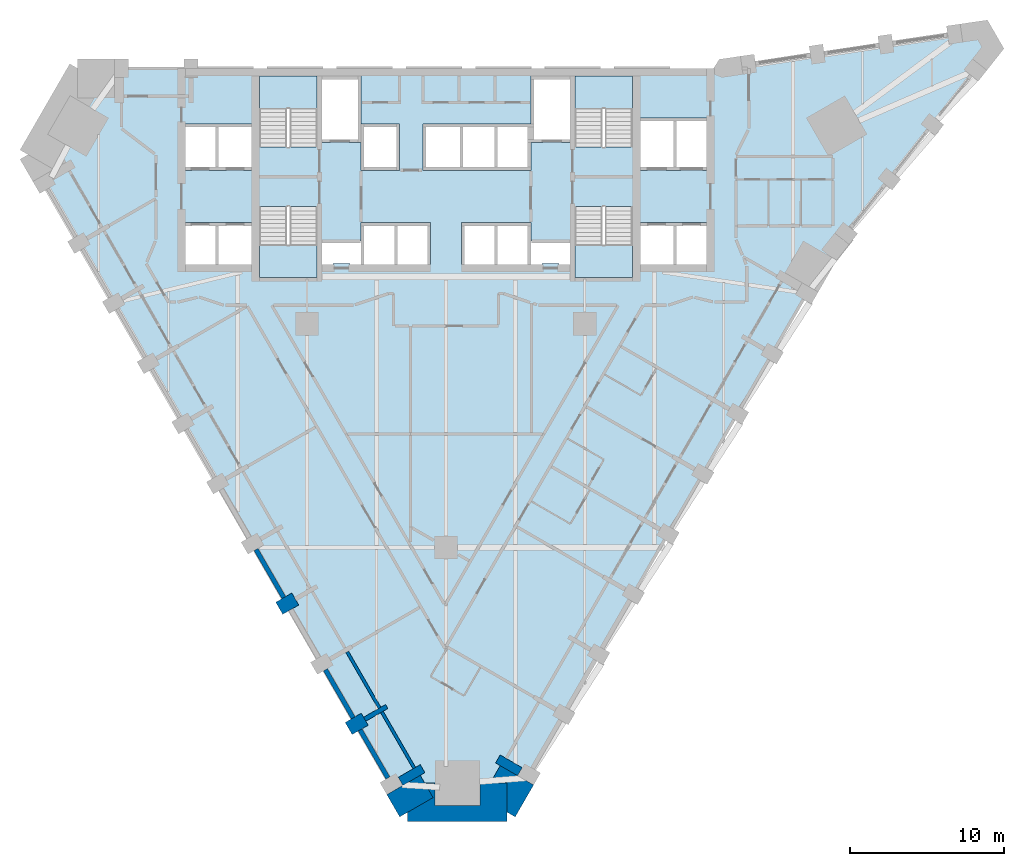
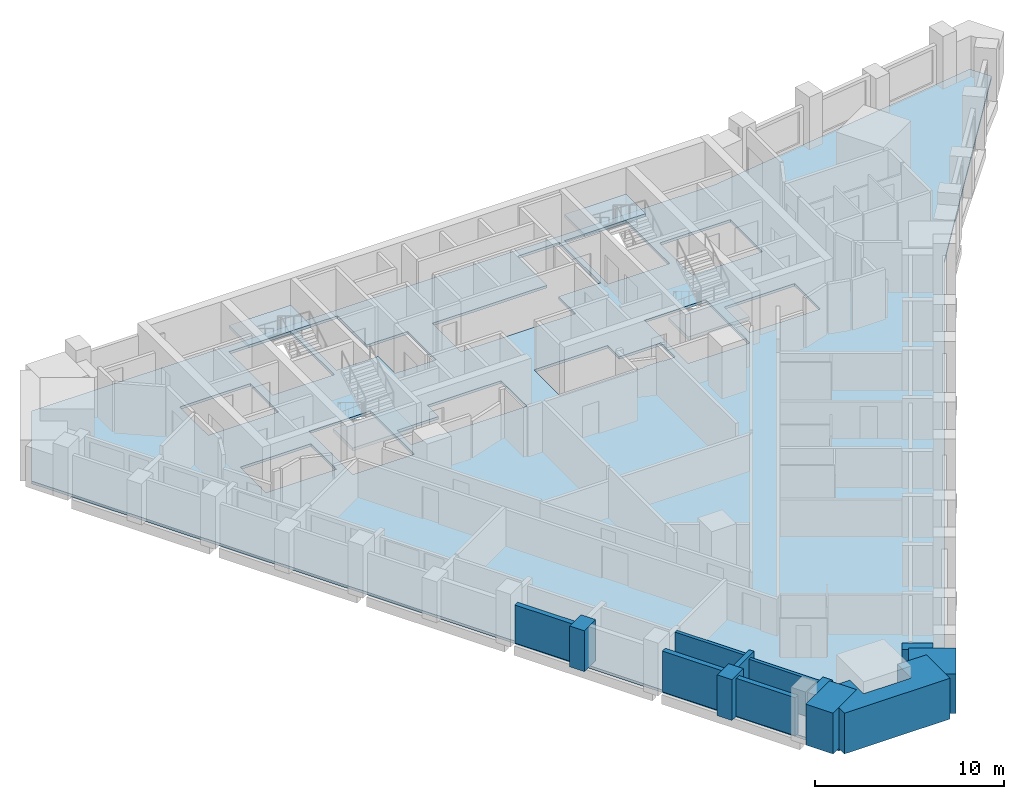
# One storey, part 2 of 11: 13 walls, 5 slabs, 4 elements without a shape of their own.
"""IFC4 building model written with IfcOpenShell, lengths in metres."""

from ifc_helpers import new_model, si_unit, direction, frame, frame_2d, origin, place, context, subcontext, project, spatial, polyline, rectangle, outline, extrude, material, layer, layer_set, type_object, element, aggregate, save


model = new_model("IFC4")

# Units and contexts
model_context = context("Model", 3, precision=1e-05, world=origin(), true_north=direction((0.0, 1.0)))
body_context = subcontext(model_context, "Body", "Model", "MODEL_VIEW")
ifc_project = project(units=[si_unit("LENGTHUNIT", "METRE"), si_unit("AREAUNIT", "SQUARE_METRE"), si_unit("VOLUMEUNIT", "CUBIC_METRE"), si_unit("PLANEANGLEUNIT", "RADIAN"), si_unit("MASSUNIT", "GRAM", prefix="KILO")], contexts=[model_context])

# Site, building, storey
site_placement = place(None, origin())
site = spatial("IfcSite", under=ifc_project, at=site_placement, CompositionType="ELEMENT")
building_placement = place(site_placement, origin())
building = spatial("IfcBuilding", under=site, at=building_placement, Name="Calabash Gate Tower", CompositionType="ELEMENT")
storey_placement = place(building_placement, frame((0.0, 0.0, 115.60009765625)))
storey = spatial("IfcBuildingStorey", under=building, at=storey_placement, Name="L26", CompositionType="ELEMENT", Elevation=115.60009765625)

# Slab
ifc_material_1 = material(Name="Concrete C40/50", Category="concrete")
ifc_layer_1 = layer(ifc_material_1, 0.169921875)
ifc_layer_set_1 = layer_set([ifc_layer_1], Name="Composite floor slab 170 Concrete C40/50")
slab_type_1 = type_object("IfcSlabType", Name="Composite floor slab 170 Concrete C40/50", PredefinedType="FLOOR", material=ifc_layer_set_1)
slab_1_placement = place(storey_placement, frame((0.0, 0.0, -0.170166015625)))
element("IfcSlab", 1, at=slab_1_placement, inside=storey, type_object=slab_type_1, Name="Floor slab L26", PredefinedType="FLOOR", context=body_context, shape_type="SweptSolid", body=[
    extrude(outline(polyline([(-27.0966796875, 13.46826171875), (-23.87255859375, 19.052490234375), (17.806640625, 19.052490234375), (34.788818359375, 21.54150390625), (35.453369140625, 20.390625), (24.806640625, 6.92822265625), (3.967041015625, -29.167236328125), (-2.481201171875, -29.167236328125), (-27.0966796875, 13.46826171875)]), holes=[polyline([(-5.5, 9.052490234375), (-5.5, 7.8525390625), (-8.050048828125, 7.8525390625), (-8.050048828125, 6.3525390625), (-7.324951171875, 6.3525390625), (-7.324951171875, 6.402587890625), (-6.22509765625, 6.402587890625), (-6.22509765625, 6.3525390625), (-5.5, 6.3525390625), (-3.25, 6.3525390625), (-1.0, 6.3525390625), (-1.0, 9.052490234375), (-3.25, 9.052490234375), (-5.5, 9.052490234375)]), polyline([(5.5, 9.052490234375), (3.25, 9.052490234375), (1.0, 9.052490234375), (1.0, 6.3525390625), (3.25, 6.3525390625), (5.5, 6.3525390625), (6.22509765625, 6.3525390625), (6.22509765625, 6.402587890625), (7.324951171875, 6.402587890625), (7.324951171875, 6.3525390625), (8.050048828125, 6.3525390625), (8.050048828125, 7.8525390625), (5.5, 7.8525390625), (5.5, 9.052490234375)]), polyline([(-5.5, 14.252685546875), (-5.5, 12.45263671875), (-3.0, 12.45263671875), (-3.0, 15.45263671875), (-5.5, 15.45263671875), (-5.5, 18.552490234375), (-8.050048828125, 18.552490234375), (-8.050048828125, 14.252685546875), (-5.5, 14.252685546875)]), polyline([(8.050048828125, 18.552490234375), (5.5, 18.552490234375), (5.5, 15.45263671875), (3.25, 15.45263671875), (1.0, 15.45263671875), (-1.5, 15.45263671875), (-1.5, 12.45263671875), (1.0, 12.45263671875), (3.25, 12.45263671875), (5.5, 12.45263671875), (5.5, 14.252685546875), (8.050048828125, 14.252685546875), (8.050048828125, 18.552490234375)]), polyline([(-12.60009765625, 6.3525390625), (-12.60009765625, 9.052490234375), (-14.85009765625, 9.052490234375), (-16.89990234375, 9.052490234375), (-16.89990234375, 6.3525390625), (-14.85009765625, 6.3525390625), (-12.60009765625, 6.3525390625)]), polyline([(-14.85009765625, 12.45263671875), (-12.60009765625, 12.45263671875), (-12.60009765625, 15.45263671875), (-14.85009765625, 15.45263671875), (-16.89990234375, 15.45263671875), (-16.89990234375, 12.45263671875), (-14.85009765625, 12.45263671875)]), polyline([(14.85009765625, 6.3525390625), (16.89990234375, 6.3525390625), (16.89990234375, 9.052490234375), (14.85009765625, 9.052490234375), (12.60009765625, 9.052490234375), (12.60009765625, 6.3525390625), (14.85009765625, 6.3525390625)]), polyline([(14.85009765625, 12.45263671875), (16.89990234375, 12.45263671875), (16.89990234375, 15.8525390625), (14.85009765625, 15.8525390625), (12.60009765625, 15.8525390625), (12.60009765625, 12.45263671875), (14.85009765625, 12.45263671875)]), polyline([(-8.35009765625, 18.552490234375), (-12.10009765625, 18.552490234375), (-12.10009765625, 13.95263671875), (-8.35009765625, 13.95263671875), (-8.35009765625, 18.552490234375)]), polyline([(-12.10009765625, 10.1025390625), (-12.10009765625, 5.502685546875), (-8.35009765625, 5.502685546875), (-8.35009765625, 10.1025390625), (-12.10009765625, 10.1025390625)]), polyline([(8.35009765625, 13.95263671875), (12.10009765625, 13.95263671875), (12.10009765625, 18.552490234375), (8.35009765625, 18.552490234375), (8.35009765625, 13.95263671875)]), polyline([(12.10009765625, 5.502685546875), (12.10009765625, 10.1025390625), (8.35009765625, 10.1025390625), (8.35009765625, 5.502685546875), (12.10009765625, 5.502685546875)])]), origin(), (0.0, 0.0, 1.0), 0.170166015625),
])

# Stair, slab
ifc_material_2 = material(Name="Concrete C40/50", Category="concrete")
stair_type = type_object("IfcStairType", Name="Exit stair 20 risers of 170 mm", PredefinedType="HALF_TURN_STAIR", material=ifc_material_2)
stair_1_placement = place(storey_placement, origin())
stair_1 = element("IfcStair", 2, at=stair_1_placement, inside=storey, type_object=stair_type, Name="L26 Exit stair ST1", PredefinedType="HALF_TURN_STAIR")
ifc_material_3 = material(Name="Concrete C40/50", Category="concrete")
ifc_layer_2 = layer(ifc_material_3, 0.199951171875)
ifc_layer_set_2 = layer_set([ifc_layer_2], Name="Stair landing SL200")
slab_type_2 = type_object("IfcSlabType", Name="Stair landing SL200", PredefinedType="LANDING", material=ifc_layer_set_2)
slab_2_placement = place(storey_placement, frame((0.0, 0.0, 1.5)))
slab_2 = element("IfcSlab", 3, at=slab_2_placement, type_object=slab_type_2, Name="ST1 landing 1", PredefinedType="LANDING", context=body_context, shape_type="SweptSolid", body=[
    extrude(outline(polyline([(-8.35009765625, 16.463623046875), (-8.35009765625, 18.552490234375), (-12.10009765625, 18.552490234375), (-12.10009765625, 16.463623046875), (-8.35009765625, 16.463623046875)])), origin(), (0.0, 0.0, 1.0), 0.199951171875),
])
aggregate(stair_1, [slab_2])

stair_2_placement = place(storey_placement, origin())
stair_2 = element("IfcStair", 4, at=stair_2_placement, inside=storey, type_object=stair_type, Name="L26 Exit stair ST2", PredefinedType="HALF_TURN_STAIR")
slab_3_placement = place(storey_placement, frame((0.0, 0.0, 1.5)))
slab_3 = element("IfcSlab", 5, at=slab_3_placement, type_object=slab_type_2, Name="ST2 landing 1", PredefinedType="LANDING", context=body_context, shape_type="SweptSolid", body=[
    extrude(outline(polyline([(-12.10009765625, 7.591552734375), (-12.10009765625, 5.502685546875), (-8.35009765625, 5.502685546875), (-8.35009765625, 7.591552734375), (-12.10009765625, 7.591552734375)])), origin(), (0.0, 0.0, 1.0), 0.199951171875),
])
aggregate(stair_2, [slab_3])

stair_3_placement = place(storey_placement, origin())
stair_3 = element("IfcStair", 6, at=stair_3_placement, inside=storey, type_object=stair_type, Name="L26 Exit stair ST3", PredefinedType="HALF_TURN_STAIR")
slab_4_placement = place(storey_placement, frame((0.0, 0.0, 1.5)))
slab_4 = element("IfcSlab", 7, at=slab_4_placement, type_object=slab_type_2, Name="ST3 landing 1", PredefinedType="LANDING", context=body_context, shape_type="SweptSolid", body=[
    extrude(outline(polyline([(12.10009765625, 16.463623046875), (12.10009765625, 18.552490234375), (8.35009765625, 18.552490234375), (8.35009765625, 16.463623046875), (12.10009765625, 16.463623046875)])), origin(), (0.0, 0.0, 1.0), 0.199951171875),
])
aggregate(stair_3, [slab_4])

stair_4_placement = place(storey_placement, origin())
stair_4 = element("IfcStair", 8, at=stair_4_placement, inside=storey, type_object=stair_type, Name="L26 Exit stair ST4", PredefinedType="HALF_TURN_STAIR")
slab_5_placement = place(storey_placement, frame((0.0, 0.0, 1.5)))
slab_5 = element("IfcSlab", 9, at=slab_5_placement, type_object=slab_type_2, Name="ST4 landing 1", PredefinedType="LANDING", context=body_context, shape_type="SweptSolid", body=[
    extrude(outline(polyline([(8.35009765625, 7.591552734375), (8.35009765625, 5.502685546875), (12.10009765625, 5.502685546875), (12.10009765625, 7.591552734375), (8.35009765625, 7.591552734375)])), origin(), (0.0, 0.0, 1.0), 0.199951171875),
])
aggregate(stair_4, [slab_5])

# Walls
ifc_material_4 = material(Name="Terracotta brick masonry, exposed face", Category="masonry")
ifc_layer_3 = layer(ifc_material_4, 2.5)
ifc_layer_set_3 = layer_set([ifc_layer_3], Name="Brick corner mass wall 2500")
wall_type_1 = type_object("IfcWallType", Name="Brick corner mass wall 2500", PredefinedType="SOLIDWALL", material=ifc_layer_set_3)
wall_1_placement = place(storey_placement, origin())
element("IfcWall", 10, at=wall_1_placement, inside=storey, type_object=wall_type_1, Name="Brick corner pier S07 1a", PredefinedType="SOLIDWALL", context=body_context, shape_type="SweptSolid", body=[
    extrude(outline(polyline([(-0.8359375, -28.21728515625), (-1.668701171875, -26.77490234375), (-3.833740234375, -28.02490234375), (-3.0009765625, -29.46728515625), (-0.8359375, -28.21728515625)])), origin(), (0.0, 0.0, 1.0), 2.6298828125),
])
wall_2_placement = place(storey_placement, origin())
element("IfcWall", 11, at=wall_2_placement, inside=storey, type_object=wall_type_1, Name="Brick corner pier S07 1b", PredefinedType="SOLIDWALL", context=body_context, shape_type="SweptSolid", body=[
    extrude(outline(polyline([(-1.38427734375, -27.26708984375), (-0.8359375, -28.21728515625), (-2.481201171875, -29.167236328125), (-2.481201171875, -29.76708984375), (3.967041015625, -29.76708984375), (3.967041015625, -27.26708984375), (2.193115234375, -27.26708984375), (2.193115234375, -28.721923828125), (-0.70703125, -28.721923828125), (-0.70703125, -27.26708984375), (-1.38427734375, -27.26708984375)])), origin(), (0.0, 0.0, 1.0), 2.6298828125),
])
wall_3_placement = place(storey_placement, origin())
element("IfcWall", 12, at=wall_3_placement, inside=storey, type_object=wall_type_1, Name="Brick corner pier S07 1c", PredefinedType="SOLIDWALL", context=body_context, shape_type="SweptSolid", body=[
    extrude(outline(polyline([(5.681396484375, -27.397705078125), (3.516357421875, -26.147705078125), (2.8701171875, -27.26708984375), (3.967041015625, -27.26708984375), (3.967041015625, -29.167236328125), (4.486572265625, -29.46728515625), (5.681396484375, -27.397705078125)])), origin(), (0.0, 0.0, 1.0), 2.5517578125),
])
ifc_material_5 = material(Name="Terracotta brick masonry, exposed face", Category="masonry")
ifc_layer_4 = layer(ifc_material_5, 1.199951171875)
ifc_layer_set_4 = layer_set([ifc_layer_4], Name="Brick end wall 1200")
wall_type_2 = type_object("IfcWallType", Name="Brick end wall 1200", PredefinedType="SOLIDWALL", material=ifc_layer_set_4)
for number, where, z_axis, x_axis, name in (
    (13, (-10.80859375, -15.94384765625, 0.0), (0.0, 0.0, 1.0), (0.865955154139, 0.50012165622, 0.0), "Brick pier S07 SW0.7"),
    (14, (-6.30859375, -23.738037109375, 0.0), (0.0, 0.0, 1.0), (0.865955154139, 0.50012165622, 0.0), "Brick pier S07 SW0.9"),
):
    element("IfcWall", number, at=place(storey_placement, frame(where, z_axis=z_axis, x_axis=x_axis)), inside=storey, type_object=wall_type_2, Name=name, PredefinedType="SOLIDWALL", context=body_context, shape_type="SweptSolid", body=[
        extrude(rectangle(XDim=1.199951171875, YDim=0.89990234375, at=frame_2d((0.60009765625, 0.0))), origin(), (0.0, 0.0, 1.0), 2.6298828125),
    ])
ifc_material_6 = material(Name="Terracotta brick masonry, exposed face", Category="masonry")
ifc_layer_5 = layer(ifc_material_6, 0.300048828125)
ifc_layer_set_5 = layer_set([ifc_layer_5], Name="Brick infill panel wall 300")
wall_type_3 = type_object("IfcWallType", Name="Brick infill panel wall 300", PredefinedType="SOLIDWALL", material=ifc_layer_set_5)
wall_4_placement = place(storey_placement, frame((-10.513916015625, -15.25390625, 0.0), z_axis=(0.0, 0.0, 1.0), x_axis=(-0.500070795158, 0.865984526323, 0.0)))
element("IfcWall", 15, at=wall_4_placement, inside=storey, type_object=wall_type_3, Name="Brick panel S07 SW0.7", PredefinedType="SOLIDWALL", context=body_context, shape_type="SweptSolid", body=[
    extrude(rectangle(XDim=3.599609375, YDim=0.300048828125, at=frame_2d((1.7998046875, 0.0))), origin(), (0.0, 0.0, 1.0), 2.449951171875),
])
wall_5_placement = place(storey_placement, frame((-7.81396484375, -19.9306640625, 0.0), z_axis=(0.0, 0.0, 1.0), x_axis=(0.500012057535, -0.866018442252, 0.0)))
element("IfcWall", 16, at=wall_5_placement, inside=storey, type_object=wall_type_3, Name="Brick panel S07 SW0.9", PredefinedType="SOLIDWALL", context=body_context, shape_type="SweptSolid", body=[
    extrude(rectangle(XDim=3.60009765625, YDim=0.300048828125, at=frame_2d((1.800048828125, 0.0))), origin(), (0.0, 0.0, 1.0), 2.6298828125),
])
wall_6_placement = place(storey_placement, frame((-3.764892578125, -26.94384765625, 0.0), z_axis=(0.0, 0.0, 1.0), x_axis=(-0.499984792966, 0.866034183392, 0.0)))
element("IfcWall", 17, at=wall_6_placement, inside=storey, type_object=wall_type_3, Name="Brick panel S07 SW0.10", PredefinedType="SOLIDWALL", context=body_context, shape_type="SweptSolid", body=[
    extrude(rectangle(XDim=3.59814453125, YDim=0.300048828125, at=frame_2d((1.799072265625, 0.0))), origin(), (0.0, 0.0, 1.0), 2.449951171875),
])
ifc_material_7 = material(Name="Terracotta brick masonry, exposed face", Category="masonry")
ifc_layer_6 = layer(ifc_material_7, 0.300048828125)
ifc_layer_set_6 = layer_set([ifc_layer_6], Name="Brick loggia cheek wall 300")
wall_type_4 = type_object("IfcWallType", Name="Brick loggia cheek wall 300", PredefinedType="SOLIDWALL", material=ifc_layer_set_6)
wall_7_placement = place(storey_placement, frame((-5.26953125, -23.137939453125, 0.0), z_axis=(0.0, 0.0, 1.0), x_axis=(0.866040211805, 0.499974350878, 0.0)))
element("IfcWall", 18, at=wall_7_placement, inside=storey, type_object=wall_type_4, Name="Loggia cheek S07 SW0.9", PredefinedType="SOLIDWALL", context=body_context, shape_type="SweptSolid", body=[
    extrude(rectangle(XDim=1.64990234375, YDim=0.300048828125, at=frame_2d((0.824951171875, 0.0))), origin(), (0.0, 0.0, 1.0), 2.6279296875),
])
for number, where, z_axis, x_axis, name in (
    (19, (-1.515380859375, -26.340087890625, 0.0), (0.0, 0.0, 1.0), (-0.866040211805, -0.499974350878, 0.0), "Loggia cheek S07 SW0.10"),
    (20, (4.792236328125, -26.537841796875, 0.0), (0.0, 0.0, 1.0), (-0.866040211805, 0.499974350878, 0.0), "Loggia cheek S07 SE2.0"),
):
    element("IfcWall", number, at=place(storey_placement, frame(where, z_axis=z_axis, x_axis=x_axis)), inside=storey, type_object=wall_type_4, Name=name, PredefinedType="SOLIDWALL", context=body_context, shape_type="SweptSolid", body=[
        extrude(rectangle(XDim=1.64990234375, YDim=0.60009765625, at=frame_2d((0.824951171875, 0.0))), origin(), (0.0, 0.0, 1.0), 2.449951171875),
    ])
ifc_material_8 = material(Name="Aluminium framed window wall with insulated spandrel", Category="aluminium")
ifc_layer_7 = layer(ifc_material_8, 0.199951171875)
ifc_layer_set_7 = layer_set([ifc_layer_7], Name="Window wall 200")
wall_type_5 = type_object("IfcWallType", Name="Window wall 200", PredefinedType="ELEMENTEDWALL", material=ifc_layer_set_7)
wall_8_placement = place(storey_placement, frame((-6.4052734375, -18.770751953125, 0.0), z_axis=(0.0, 0.0, 1.0), x_axis=(0.500027713859, -0.866009402589, 0.0)))
element("IfcWall", 21, at=wall_8_placement, inside=storey, type_object=wall_type_5, Name="Window wall S07 SW0.9", PredefinedType="ELEMENTEDWALL", context=body_context, shape_type="SweptSolid", body=[
    extrude(rectangle(XDim=4.199951171875, YDim=0.199951171875, at=frame_2d((2.10009765625, 0.0))), origin(), (0.0, 0.0, 1.0), 2.6279296875),
])
wall_9_placement = place(storey_placement, frame((-4.1552734375, -22.66796875, 0.0), z_axis=(0.0, 0.0, 1.0), x_axis=(0.500027713859, -0.866009402589, 0.0)))
element("IfcWall", 22, at=wall_9_placement, inside=storey, type_object=wall_type_5, Name="Window wall S07 SW0.10", PredefinedType="ELEMENTEDWALL", context=body_context, shape_type="SweptSolid", body=[
    extrude(rectangle(XDim=4.199951171875, YDim=0.199951171875, at=frame_2d((2.10009765625, 0.0))), origin(), (0.0, 0.0, 1.0), 2.449951171875),
])

save(model, "model.ifc")
